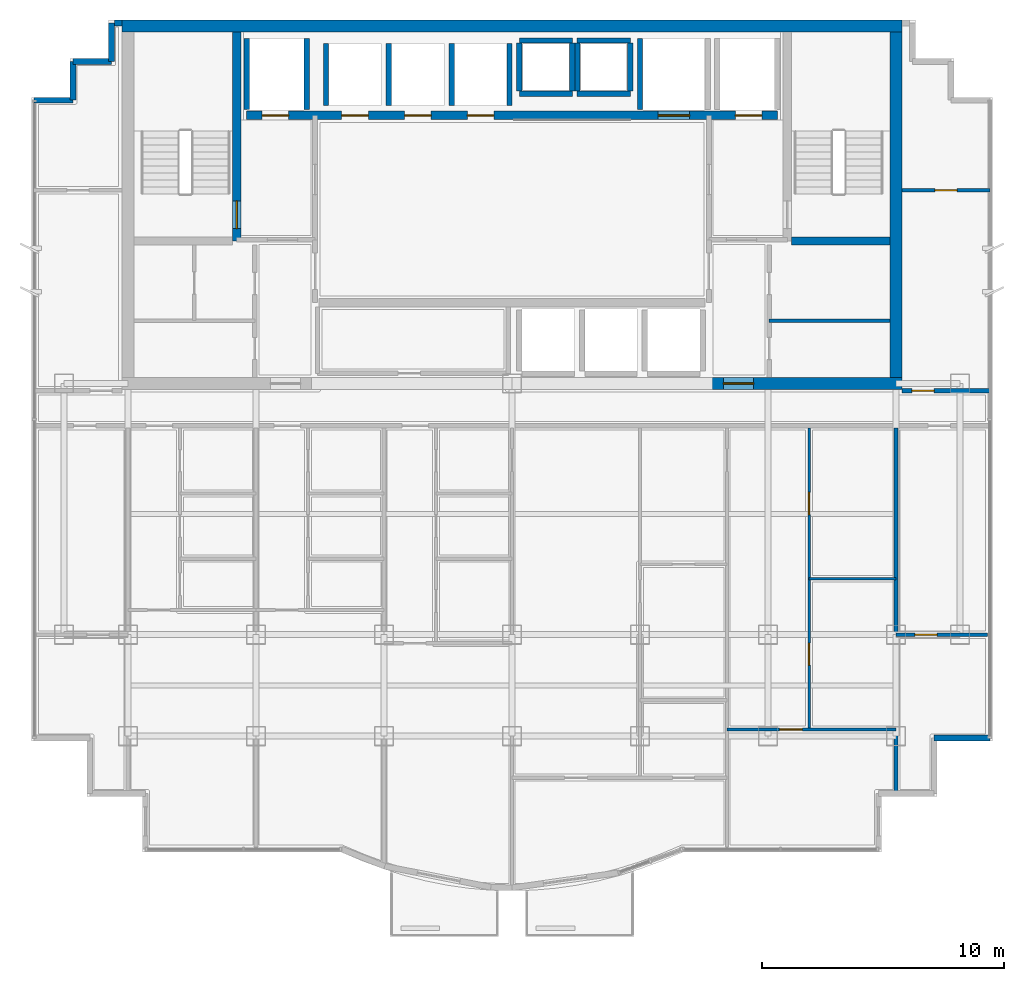
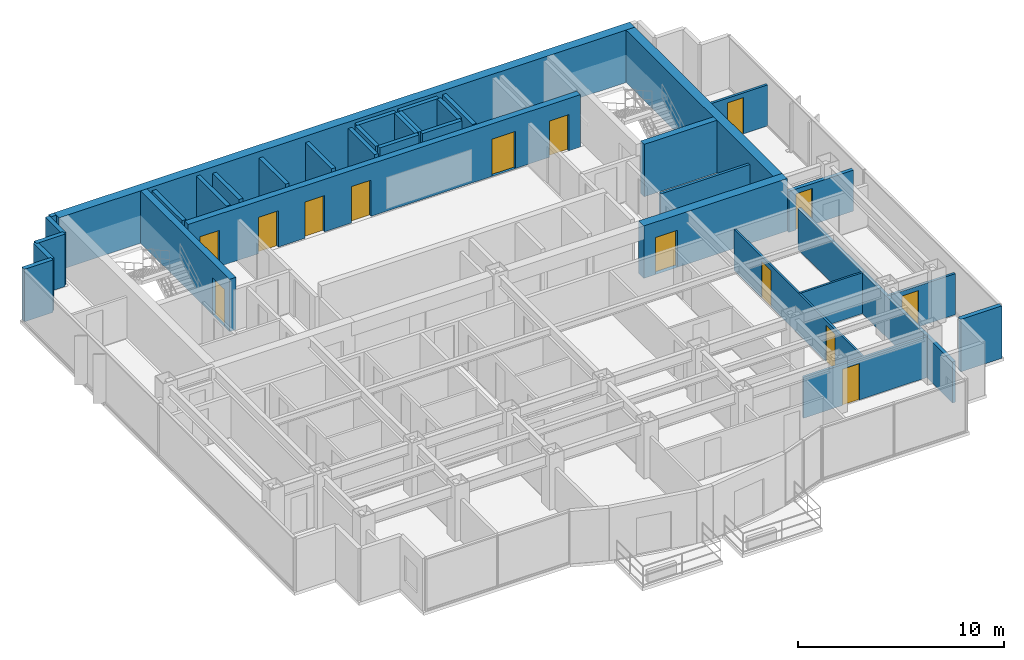
# One storey, part 9 of 12: 35 walls, 14 doors, 14 openings.
"""IFC4 building model written with IfcOpenShell, lengths in metres."""

from ifc_helpers import new_model, si_unit, direction, frame, frame_2d, origin, place, context, subcontext, project, spatial, rectangle, extrude, material, layer, layer_set, type_object, element, fill, save


model = new_model("IFC4")

# Units and contexts
model_context = context("Model", 3, precision=1e-05, world=origin(), true_north=direction((0.0, 1.0)))
body_context = subcontext(model_context, "Body", "Model", "MODEL_VIEW")
ifc_project = project(units=[si_unit("LENGTHUNIT", "METRE"), si_unit("AREAUNIT", "SQUARE_METRE"), si_unit("VOLUMEUNIT", "CUBIC_METRE"), si_unit("PLANEANGLEUNIT", "RADIAN"), si_unit("MASSUNIT", "GRAM", prefix="KILO")], contexts=[model_context])

# Site, building, storey
site_placement = place(None, origin())
site = spatial("IfcSite", under=ifc_project, at=site_placement, CompositionType="ELEMENT")
building_placement = place(site_placement, origin())
building = spatial("IfcBuilding", under=site, at=building_placement, Name="Qianlan Lanfeng Residences", CompositionType="ELEMENT")
storey_placement = place(building_placement, frame((0.0, 0.0, 196.699951171875)))
storey = spatial("IfcBuildingStorey", under=building, at=storey_placement, Name="L53", CompositionType="ELEMENT", Elevation=196.699951171875)

# Wall, opening, door
ifc_material_1 = material(Name="Concrete C49", Category="concrete")
ifc_layer_1 = layer(ifc_material_1, 0.35009765625)
ifc_layer_set_1 = layer_set([ifc_layer_1], Name="Concrete C49")
wall_type_1 = type_object("IfcWallType", Name="CW-RC-350", PredefinedType="SHEAR", material=ifc_layer_set_1)
wall_1_placement = place(storey_placement, frame((15.10009765625, 31.10009765625, 0.0), z_axis=(0.0, 0.0, 1.0), x_axis=(0.0, 1.0, 0.0)))
wall_1 = element("IfcWall", 1, at=wall_1_placement, inside=storey, type_object=wall_type_1, Name="L53 Core Shear Wall ST1E", PredefinedType="SHEAR", context=body_context, shape_type="SweptSolid", body=[
    extrude(rectangle(XDim=8.64990234375, YDim=0.35009765625, at=frame_2d((4.324951171875, 0.0))), origin(), (0.0, 0.0, 1.0), 3.110107421875),
])
opening_1_placement = place(wall_1_placement, frame((0.510009765625, 0.0, 0.0)))
opening_1 = element("IfcOpeningElement", 2, at=opening_1_placement, cuts=wall_1, Name="Opening L53-D07", PredefinedType="OPENING", context=body_context, shape_type="SweptSolid", body=[
    extrude(rectangle(XDim=1.14990234375, YDim=2.199951171875, at=frame_2d((0.574951171875, 1.10009765625))), frame((0.0, 0.18505859375, 0.0), z_axis=(0.0, -1.0, 0.0), x_axis=(1.0, 0.0, 0.0)), (0.0, 0.0, 1.0), 0.3701171875),
])
ifc_material_2 = material(Name="Painted Galvanised Steel Fire Door", Category="steel")
door_type_1 = type_object("IfcDoorType", Name="DT-ST1", OperationType="NOTDEFINED", PredefinedType="DOOR", material=ifc_material_2)
door_1_placement = place(opening_1_placement, frame((1.14990234375, 0.0, 0.0), z_axis=(0.0, 0.0, 1.0), x_axis=(-1.0, 0.0, 0.0)))
door_1 = element("IfcDoor", 3, at=door_1_placement, inside=storey, type_object=door_type_1, Name="L53 Exit Stair ST-1 Door L53-D07 (DT-ST1)", OperationType="SINGLE_SWING_RIGHT", OverallHeight=2.199951171875, OverallWidth=1.14990234375, PredefinedType="DOOR", context=body_context, shape_type="SweptSolid", body=[
    extrude(rectangle(XDim=1.14990234375, YDim=2.199951171875, at=frame_2d((0.574951171875, 1.10009765625))), frame((0.0, 0.02490234375, 0.0), z_axis=(0.0, -1.0, 0.0), x_axis=(1.0, 0.0, 0.0)), (0.0, 0.0, 1.0), 0.050048828125),
])
fill(opening_1, door_1)

# Wall
wall_2_placement = place(storey_placement, frame((38.074951171875, 31.10009765625, 0.0), z_axis=(0.0, 0.0, 1.0), x_axis=(1.0, 0.0, 0.0)))
element("IfcWall", 4, at=wall_2_placement, inside=storey, type_object=wall_type_1, Name="L53 Core Shear Wall ST2S", PredefinedType="SHEAR", context=body_context, shape_type="SweptSolid", body=[
    extrude(rectangle(XDim=4.074951171875, YDim=0.35009765625, at=frame_2d((2.03759765625, 0.0))), origin(), (0.0, 0.0, 1.0), 3.110107421875),
])

# Wall, openings, doors
wall_3_placement = place(storey_placement, frame((15.5, 36.300048828125, 0.0), z_axis=(0.0, 0.0, 1.0), x_axis=(1.0, 0.0, 0.0)))
wall_3 = element("IfcWall", 5, at=wall_3_placement, inside=storey, type_object=wall_type_1, Name="L53 Core Shear Wall LBN", PredefinedType="SHEAR", context=body_context, shape_type="SweptSolid", body=[
    extrude(rectangle(XDim=22.0, YDim=0.35009765625, at=frame_2d((11.0, 0.0))), origin(), (0.0, 0.0, 1.0), 3.110107421875),
])
opening_2_placement = place(wall_3_placement, frame((0.64990234375, 0.0, 0.0)))
opening_2 = element("IfcOpeningElement", 6, at=opening_2_placement, cuts=wall_3, Name="Opening L53-LD-FFL-1", PredefinedType="OPENING", context=body_context, shape_type="SweptSolid", body=[
    extrude(rectangle(XDim=1.10009765625, YDim=2.14990234375, at=frame_2d((0.550048828125, 1.074951171875))), frame((0.0, 0.18505859375, 0.0), z_axis=(0.0, -1.0, 0.0), x_axis=(1.0, 0.0, 0.0)), (0.0, 0.0, 1.0), 0.3701171875),
])
opening_3_placement = place(wall_3_placement, frame((20.25, 0.0, 0.0)))
opening_3 = element("IfcOpeningElement", 7, at=opening_3_placement, cuts=wall_3, Name="Opening L53-LD-FFL-2", PredefinedType="OPENING", context=body_context, shape_type="SweptSolid", body=[
    extrude(rectangle(XDim=1.10009765625, YDim=2.14990234375, at=frame_2d((0.550048828125, 1.074951171875))), frame((0.0, 0.18505859375, 0.0), z_axis=(0.0, -1.0, 0.0), x_axis=(1.0, 0.0, 0.0)), (0.0, 0.0, 1.0), 0.3701171875),
])
opening_4_placement = place(wall_3_placement, frame((17.050048828125, 0.0, 0.0)))
opening_4 = element("IfcOpeningElement", 8, at=opening_4_placement, cuts=wall_3, Name="Opening L53-LD-SVL-1", PredefinedType="OPENING", context=body_context, shape_type="SweptSolid", body=[
    extrude(rectangle(XDim=1.300048828125, YDim=2.199951171875, at=frame_2d((0.64990234375, 1.10009765625))), frame((0.0, 0.18505859375, 0.0), z_axis=(0.0, -1.0, 0.0), x_axis=(1.0, 0.0, 0.0)), (0.0, 0.0, 1.0), 0.3701171875),
])
opening_5_placement = place(wall_3_placement, frame((3.949951171875, 0.0, 0.0)))
opening_5 = element("IfcOpeningElement", 9, at=opening_5_placement, cuts=wall_3, Name="Opening L53-LD-PL-H1", PredefinedType="OPENING", context=body_context, shape_type="SweptSolid", body=[
    extrude(rectangle(XDim=1.10009765625, YDim=2.14990234375, at=frame_2d((0.550048828125, 1.074951171875))), frame((0.0, 0.18505859375, 0.0), z_axis=(0.0, -1.0, 0.0), x_axis=(1.0, 0.0, 0.0)), (0.0, 0.0, 1.0), 0.3701171875),
])
opening_6_placement = place(wall_3_placement, frame((6.550048828125, 0.0, 0.0)))
opening_6 = element("IfcOpeningElement", 10, at=opening_6_placement, cuts=wall_3, Name="Opening L53-LD-PL-H2", PredefinedType="OPENING", context=body_context, shape_type="SweptSolid", body=[
    extrude(rectangle(XDim=1.10009765625, YDim=2.14990234375, at=frame_2d((0.550048828125, 1.074951171875))), frame((0.0, 0.18505859375, 0.0), z_axis=(0.0, -1.0, 0.0), x_axis=(1.0, 0.0, 0.0)), (0.0, 0.0, 1.0), 0.3701171875),
])
opening_7_placement = place(wall_3_placement, frame((9.14990234375, 0.0, 0.0)))
opening_7 = element("IfcOpeningElement", 11, at=opening_7_placement, cuts=wall_3, Name="Opening L53-LD-PL-H3", PredefinedType="OPENING", context=body_context, shape_type="SweptSolid", body=[
    extrude(rectangle(XDim=1.10009765625, YDim=2.14990234375, at=frame_2d((0.550048828125, 1.074951171875))), frame((0.0, 0.18505859375, 0.0), z_axis=(0.0, -1.0, 0.0), x_axis=(1.0, 0.0, 0.0)), (0.0, 0.0, 1.0), 0.3701171875),
])
ifc_material_3 = material(Name="Brushed Stainless Steel Sliding Lift Door", Category="steel")
door_type_2 = type_object("IfcDoorType", Name="LD-01", OperationType="NOTDEFINED", PredefinedType="DOOR", material=ifc_material_3)
door_2_placement = place(opening_2_placement, frame((1.10009765625, 0.0, 0.0), z_axis=(0.0, 0.0, 1.0), x_axis=(-1.0, 0.0, 0.0)))
door_2 = element("IfcDoor", 12, at=door_2_placement, inside=storey, type_object=door_type_2, Name="L53 Elevator FFL-1 Sliding Landing Door", OperationType="DOUBLE_DOOR_SLIDING", OverallHeight=2.14990234375, OverallWidth=1.10009765625, PredefinedType="DOOR", context=body_context, shape_type="SweptSolid", body=[
    extrude(rectangle(XDim=1.10009765625, YDim=2.14990234375, at=frame_2d((0.550048828125, 1.074951171875))), frame((0.0, 0.02490234375, 0.0), z_axis=(0.0, -1.0, 0.0), x_axis=(1.0, 0.0, 0.0)), (0.0, 0.0, 1.0), 0.050048828125),
])
fill(opening_2, door_2)
door_3_placement = place(opening_3_placement, frame((1.10009765625, 0.0, 0.0), z_axis=(0.0, 0.0, 1.0), x_axis=(-1.0, 0.0, 0.0)))
door_3 = element("IfcDoor", 13, at=door_3_placement, inside=storey, type_object=door_type_2, Name="L53 Elevator FFL-2 Sliding Landing Door", OperationType="DOUBLE_DOOR_SLIDING", OverallHeight=2.14990234375, OverallWidth=1.10009765625, PredefinedType="DOOR", context=body_context, shape_type="SweptSolid", body=[
    extrude(rectangle(XDim=1.10009765625, YDim=2.14990234375, at=frame_2d((0.550048828125, 1.074951171875))), frame((0.0, 0.02490234375, 0.0), z_axis=(0.0, -1.0, 0.0), x_axis=(1.0, 0.0, 0.0)), (0.0, 0.0, 1.0), 0.050048828125),
])
fill(opening_3, door_3)
door_4_placement = place(opening_5_placement, frame((1.10009765625, 0.0, 0.0), z_axis=(0.0, 0.0, 1.0), x_axis=(-1.0, 0.0, 0.0)))
door_4 = element("IfcDoor", 14, at=door_4_placement, inside=storey, type_object=door_type_2, Name="L53 Elevator PL-H1 Sliding Landing Door", OperationType="DOUBLE_DOOR_SLIDING", OverallHeight=2.14990234375, OverallWidth=1.10009765625, PredefinedType="DOOR", context=body_context, shape_type="SweptSolid", body=[
    extrude(rectangle(XDim=1.10009765625, YDim=2.14990234375, at=frame_2d((0.550048828125, 1.074951171875))), frame((0.0, 0.02490234375, 0.0), z_axis=(0.0, -1.0, 0.0), x_axis=(1.0, 0.0, 0.0)), (0.0, 0.0, 1.0), 0.050048828125),
])
fill(opening_5, door_4)
door_5_placement = place(opening_6_placement, frame((1.10009765625, 0.0, 0.0), z_axis=(0.0, 0.0, 1.0), x_axis=(-1.0, 0.0, 0.0)))
door_5 = element("IfcDoor", 15, at=door_5_placement, inside=storey, type_object=door_type_2, Name="L53 Elevator PL-H2 Sliding Landing Door", OperationType="DOUBLE_DOOR_SLIDING", OverallHeight=2.14990234375, OverallWidth=1.10009765625, PredefinedType="DOOR", context=body_context, shape_type="SweptSolid", body=[
    extrude(rectangle(XDim=1.10009765625, YDim=2.14990234375, at=frame_2d((0.550048828125, 1.074951171875))), frame((0.0, 0.02490234375, 0.0), z_axis=(0.0, -1.0, 0.0), x_axis=(1.0, 0.0, 0.0)), (0.0, 0.0, 1.0), 0.050048828125),
])
fill(opening_6, door_5)
door_6_placement = place(opening_7_placement, frame((1.10009765625, 0.0, 0.0), z_axis=(0.0, 0.0, 1.0), x_axis=(-1.0, 0.0, 0.0)))
door_6 = element("IfcDoor", 16, at=door_6_placement, inside=storey, type_object=door_type_2, Name="L53 Elevator PL-H3 Sliding Landing Door", OperationType="DOUBLE_DOOR_SLIDING", OverallHeight=2.14990234375, OverallWidth=1.10009765625, PredefinedType="DOOR", context=body_context, shape_type="SweptSolid", body=[
    extrude(rectangle(XDim=1.10009765625, YDim=2.14990234375, at=frame_2d((0.550048828125, 1.074951171875))), frame((0.0, 0.02490234375, 0.0), z_axis=(0.0, -1.0, 0.0), x_axis=(1.0, 0.0, 0.0)), (0.0, 0.0, 1.0), 0.050048828125),
])
fill(opening_7, door_6)
door_type_3 = type_object("IfcDoorType", Name="LD-02", OperationType="NOTDEFINED", PredefinedType="DOOR", material=ifc_material_3)
door_7_placement = place(opening_4_placement, frame((1.300048828125, 0.0, 0.0), z_axis=(0.0, 0.0, 1.0), x_axis=(-1.0, 0.0, 0.0)))
door_7 = element("IfcDoor", 17, at=door_7_placement, inside=storey, type_object=door_type_3, Name="L53 Elevator SVL-1 Sliding Landing Door", OperationType="DOUBLE_DOOR_SLIDING", OverallHeight=2.199951171875, OverallWidth=1.300048828125, PredefinedType="DOOR", context=body_context, shape_type="SweptSolid", body=[
    extrude(rectangle(XDim=1.300048828125, YDim=2.199951171875, at=frame_2d((0.64990234375, 1.10009765625))), frame((0.0, 0.02490234375, 0.0), z_axis=(0.0, -1.0, 0.0), x_axis=(1.0, 0.0, 0.0)), (0.0, 0.0, 1.0), 0.050048828125),
])
fill(opening_4, door_7)

# Walls
ifc_material_4 = material(Name="Concrete C70", Category="concrete")
ifc_layer_2 = layer(ifc_material_4, 0.5)
ifc_layer_set_2 = layer_set([ifc_layer_2], Name="Concrete C70")
wall_type_2 = type_object("IfcWallType", Name="CW-RC-500", PredefinedType="SHEAR", material=ifc_layer_set_2)
wall_4_placement = place(storey_placement, frame((10.35009765625, 40.0, 0.0), z_axis=(0.0, 0.0, 1.0), x_axis=(1.0, 0.0, 0.0)))
element("IfcWall", 18, at=wall_4_placement, inside=storey, type_object=wall_type_2, Name="L53 Core Shear Wall N", PredefinedType="SHEAR", context=body_context, shape_type="SweptSolid", body=[
    extrude(rectangle(XDim=32.2998046875, YDim=0.5, at=frame_2d((16.14990234375, 0.0))), origin(), (0.0, 0.0, 1.0), 3.110107421875),
])
wall_5_placement = place(storey_placement, frame((42.39990234375, 25.449951171875, 0.0), z_axis=(0.0, 0.0, 1.0), x_axis=(0.0, 1.0, 0.0)))
element("IfcWall", 19, at=wall_5_placement, inside=storey, type_object=wall_type_2, Name="L53 Core Shear Wall E", PredefinedType="SHEAR", context=body_context, shape_type="SweptSolid", body=[
    extrude(rectangle(XDim=14.300048828125, YDim=0.5, at=frame_2d((7.14990234375, 0.0))), origin(), (0.0, 0.0, 1.0), 3.110107421875),
])

# Wall, opening, door
wall_6_placement = place(storey_placement, frame((34.60009765625, 25.199951171875, 0.0), z_axis=(0.0, 0.0, 1.0), x_axis=(1.0, 0.0, 0.0)))
wall_6 = element("IfcWall", 20, at=wall_6_placement, inside=storey, type_object=wall_type_2, Name="L53 Core Shear Wall SE", PredefinedType="SHEAR", context=body_context, shape_type="SweptSolid", body=[
    extrude(rectangle(XDim=8.0498046875, YDim=0.5, at=frame_2d((4.02490234375, 0.0))), origin(), (0.0, 0.0, 1.0), 3.110107421875),
])
opening_8_placement = place(wall_6_placement, frame((0.64990234375, 0.0, 0.0)))
opening_8 = element("IfcOpeningElement", 21, at=opening_8_placement, cuts=wall_6, Name="Opening L53-D02", PredefinedType="OPENING", context=body_context, shape_type="SweptSolid", body=[
    extrude(rectangle(XDim=1.25, YDim=2.199951171875, at=frame_2d((0.625, 1.10009765625))), frame((0.0, 0.260009765625, 0.0), z_axis=(0.0, -1.0, 0.0), x_axis=(1.0, 0.0, 0.0)), (0.0, 0.0, 1.0), 0.52001953125),
])
door_type_4 = type_object("IfcDoorType", Name="DT-FFL", OperationType="NOTDEFINED", PredefinedType="DOOR", material=ifc_material_2)
door_8_placement = place(opening_8_placement, frame((1.25, 0.0, 0.0), z_axis=(0.0, 0.0, 1.0), x_axis=(-1.0, 0.0, 0.0)))
door_8 = element("IfcDoor", 22, at=door_8_placement, inside=storey, type_object=door_type_4, Name="L53 East Core Lobby Smoke Door L53-D02 (DT-FFL)", OperationType="SINGLE_SWING_LEFT", OverallHeight=2.199951171875, OverallWidth=1.25, PredefinedType="DOOR", context=body_context, shape_type="SweptSolid", body=[
    extrude(rectangle(XDim=1.25, YDim=2.199951171875, at=frame_2d((0.625, 1.10009765625))), frame((0.0, 0.02490234375, 0.0), z_axis=(0.0, -1.0, 0.0), x_axis=(1.0, 0.0, 0.0)), (0.0, 0.0, 1.0), 0.050048828125),
])
fill(opening_8, door_8)

# Walls
ifc_material_5 = material(Name="Concrete C42", Category="concrete")
ifc_layer_3 = layer(ifc_material_5, 0.239990234375)
ifc_layer_set_3 = layer_set([ifc_layer_3], Name="Concrete C42")
wall_type_3 = type_object("IfcWallType", Name="EW-240", PredefinedType="SOLIDWALL", material=ifc_layer_set_3)
wall_7_placement = place(storey_placement, frame((43.97998046875, 10.52001953125, 0.0), z_axis=(0.0, 0.0, 1.0), x_axis=(1.0, 0.0, 0.0)))
element("IfcWall", 23, at=wall_7_placement, inside=storey, type_object=wall_type_3, Name="L53 Exterior Facade Spandrel Wall 12", PredefinedType="SOLIDWALL", context=body_context, shape_type="SweptSolid", body=[
    extrude(rectangle(XDim=2.300048828125, YDim=0.239990234375, at=frame_2d((1.14990234375, 0.0))), origin(), (0.0, 0.0, 1.0), 3.110107421875),
])
wall_8_placement = place(storey_placement, frame((10.35009765625, 40.1298828125, 0.0), z_axis=(0.0, 0.0, 1.0), x_axis=(-1.0, 0.0, 0.0)))
element("IfcWall", 24, at=wall_8_placement, inside=storey, type_object=wall_type_3, Name="L53 North Wing Exterior Wall W", PredefinedType="SOLIDWALL", context=body_context, shape_type="SweptSolid", body=[
    extrude(rectangle(XDim=0.300048828125, YDim=0.239990234375, at=frame_2d((0.14990234375, 0.0))), origin(), (0.0, 0.0, 1.0), 3.110107421875),
])
for number, where, z_axis, x_axis, name in (
    (25, (9.919921875, 40.1298828125, 0.0), (0.0, 0.0, 1.0), (0.0, -1.0, 0.0), "L53 Exterior Facade Spandrel Wall 19"),
    (26, (9.919921875, 38.530029296875, 0.0), (0.0, 0.0, 1.0), (-1.0, 0.0, 0.0), "L53 Exterior Facade Spandrel Wall 20"),
):
    element("IfcWall", number, at=place(storey_placement, frame(where, z_axis=z_axis, x_axis=x_axis)), inside=storey, type_object=wall_type_3, Name=name, PredefinedType="SOLIDWALL", context=body_context, shape_type="SweptSolid", body=[
        extrude(rectangle(XDim=1.599853515625, YDim=0.239990234375, at=frame_2d((0.7998046875, 0.0))), origin(), (0.0, 0.0, 1.0), 3.110107421875),
    ])
for number, where, z_axis, x_axis, name in (
    (27, (8.320068359375, 38.530029296875, 0.0), (0.0, 0.0, 1.0), (0.0, -1.0, 0.0), "L53 Exterior Facade Spandrel Wall 21"),
    (28, (8.320068359375, 36.929931640625, 0.0), (0.0, 0.0, 1.0), (-1.0, 0.0, 0.0), "L53 Exterior Facade Spandrel Wall 22"),
):
    element("IfcWall", number, at=place(storey_placement, frame(where, z_axis=z_axis, x_axis=x_axis)), inside=storey, type_object=wall_type_3, Name=name, PredefinedType="SOLIDWALL", context=body_context, shape_type="SweptSolid", body=[
        extrude(rectangle(XDim=1.60009765625, YDim=0.239990234375, at=frame_2d((0.800048828125, 0.0))), origin(), (0.0, 0.0, 1.0), 3.110107421875),
    ])

# Wall, openings, doors
ifc_material_6 = material(Name="Demountable Acoustic Framing Partition 110 mm")
ifc_layer_4 = layer(ifc_material_6, 0.110107421875)
ifc_layer_set_4 = layer_set([ifc_layer_4], Name="Demountable Acoustic Framing Partition 110 mm")
wall_type_4 = type_object("IfcWallType", Name="PW-110", PredefinedType="MOVABLE", material=ifc_layer_set_4)
wall_9_placement = place(storey_placement, frame((38.800048828125, 10.876953125, 0.0), z_axis=(0.0, 0.0, 1.0), x_axis=(0.0, 1.0, 0.0)))
wall_9 = element("IfcWall", 29, at=wall_9_placement, inside=storey, type_object=wall_type_4, Name="L53 U03 Bedroom 2 Hall Wall", PredefinedType="MOVABLE", context=body_context, shape_type="SweptSolid", body=[
    extrude(rectangle(XDim=12.47314453125, YDim=0.110107421875, at=frame_2d((6.236572265625, 0.0))), origin(), (0.0, 0.0, 1.0), 2.429931640625),
])
opening_9_placement = place(wall_9_placement, frame((2.658935546875, 0.0, 0.0)))
opening_9 = element("IfcOpeningElement", 30, at=opening_9_placement, cuts=wall_9, Name="Opening L53-D39", PredefinedType="OPENING", context=body_context, shape_type="SweptSolid", body=[
    extrude(rectangle(XDim=0.919921875, YDim=2.14990234375, at=frame_2d((0.4599609375, 1.074951171875))), frame((0.0, 0.06494140625, 0.0), z_axis=(0.0, -1.0, 0.0), x_axis=(1.0, 0.0, 0.0)), (0.0, 0.0, 1.0), 0.130126953125),
])
opening_10_placement = place(wall_9_placement, frame((8.89501953125, 0.0, 0.0)))
opening_10 = element("IfcOpeningElement", 31, at=opening_10_placement, cuts=wall_9, Name="Opening L53-D40", PredefinedType="OPENING", context=body_context, shape_type="SweptSolid", body=[
    extrude(rectangle(XDim=0.919921875, YDim=2.14990234375, at=frame_2d((0.4599609375, 1.074951171875))), frame((0.0, 0.06494140625, 0.0), z_axis=(0.0, -1.0, 0.0), x_axis=(1.0, 0.0, 0.0)), (0.0, 0.0, 1.0), 0.130126953125),
])
ifc_material_7 = material(Name="Glazed Timber Kitchen/Study Door", Category="wood")
door_type_5 = type_object("IfcDoorType", Name="DT-INT", OperationType="NOTDEFINED", PredefinedType="DOOR", material=ifc_material_7)
door_9_placement = place(opening_9_placement, origin())
door_9 = element("IfcDoor", 32, at=door_9_placement, inside=storey, type_object=door_type_5, Name="L53 U03 Utility Door L53-D39 (DT-INT)", OperationType="SINGLE_SWING_LEFT", OverallHeight=2.14990234375, OverallWidth=0.919921875, PredefinedType="DOOR", context=body_context, shape_type="SweptSolid", body=[
    extrude(rectangle(XDim=0.919921875, YDim=2.14990234375, at=frame_2d((0.4599609375, 1.074951171875))), frame((0.0, 0.02490234375, 0.0), z_axis=(0.0, -1.0, 0.0), x_axis=(1.0, 0.0, 0.0)), (0.0, 0.0, 1.0), 0.050048828125),
])
fill(opening_9, door_9)
door_10_placement = place(opening_10_placement, origin())
door_10 = element("IfcDoor", 33, at=door_10_placement, inside=storey, type_object=door_type_5, Name="L53 U03 Specialty Door L53-D40 (DT-INT)", OperationType="SINGLE_SWING_RIGHT", OverallHeight=2.14990234375, OverallWidth=0.919921875, PredefinedType="DOOR", context=body_context, shape_type="SweptSolid", body=[
    extrude(rectangle(XDim=0.919921875, YDim=2.14990234375, at=frame_2d((0.4599609375, 1.074951171875))), frame((0.0, 0.02490234375, 0.0), z_axis=(0.0, -1.0, 0.0), x_axis=(1.0, 0.0, 0.0)), (0.0, 0.0, 1.0), 0.050048828125),
])
fill(opening_10, door_10)

# Wall
wall_10_placement = place(storey_placement, frame((38.800048828125, 17.114013671875, 0.0), z_axis=(0.0, 0.0, 1.0), x_axis=(1.0, 0.0, 0.0)))
element("IfcWall", 34, at=wall_10_placement, inside=storey, type_object=wall_type_4, Name="L53 U03 Specialty Split Wall", PredefinedType="MOVABLE", context=body_context, shape_type="SweptSolid", body=[
    extrude(rectangle(XDim=3.599853515625, YDim=0.110107421875, at=frame_2d((1.7998046875, 0.0))), origin(), (0.0, 0.0, 1.0), 2.429931640625),
])

# Wall, opening, door
ifc_material_8 = material(Name="Moisture-Resistant Gypsum Partition 135 mm")
ifc_layer_5 = layer(ifc_material_8, 0.135009765625)
ifc_layer_set_5 = layer_set([ifc_layer_5], Name="Moisture-Resistant Gypsum Partition 135 mm")
wall_type_5 = type_object("IfcWallType", Name="PW-135", PredefinedType="PARTITIONING", material=ifc_layer_set_5)
wall_11_placement = place(storey_placement, frame((35.39990234375, 10.876953125, 0.0), z_axis=(0.0, 0.0, 1.0), x_axis=(1.0, 0.0, 0.0)))
wall_11 = element("IfcWall", 35, at=wall_11_placement, inside=storey, type_object=wall_type_5, Name="L53 U03 Bedroom 2 North Wall", PredefinedType="PARTITIONING", context=body_context, shape_type="SweptSolid", body=[
    extrude(rectangle(XDim=7.0, YDim=0.135009765625, at=frame_2d((3.5, 0.0))), origin(), (0.0, 0.0, 1.0), 2.429931640625),
])
opening_11_placement = place(wall_11_placement, frame((2.175048828125, 0.0, 0.0)))
opening_11 = element("IfcOpeningElement", 36, at=opening_11_placement, cuts=wall_11, Name="Opening L53-D38", PredefinedType="OPENING", context=body_context, shape_type="SweptSolid", body=[
    extrude(rectangle(XDim=0.949951171875, YDim=2.14990234375, at=frame_2d((0.47509765625, 1.074951171875))), frame((0.0, 0.07763671875, 0.0), z_axis=(0.0, -1.0, 0.0), x_axis=(1.0, 0.0, 0.0)), (0.0, 0.0, 1.0), 0.155029296875),
])
ifc_material_9 = material(Name="Painted Solid-Core Timber Leaf", Category="wood")
door_type_6 = type_object("IfcDoorType", Name="DT-BED", OperationType="NOTDEFINED", PredefinedType="DOOR", material=ifc_material_9)
door_11_placement = place(opening_11_placement, origin())
door_11 = element("IfcDoor", 37, at=door_11_placement, inside=storey, type_object=door_type_6, Name="L53 U03 Bedroom 2 Door L53-D38 (DT-BED)", OperationType="SINGLE_SWING_RIGHT", OverallHeight=2.14990234375, OverallWidth=0.949951171875, PredefinedType="DOOR", context=body_context, shape_type="SweptSolid", body=[
    extrude(rectangle(XDim=0.949951171875, YDim=2.14990234375, at=frame_2d((0.47509765625, 1.074951171875))), frame((0.0, 0.02490234375, 0.0), z_axis=(0.0, -1.0, 0.0), x_axis=(1.0, 0.0, 0.0)), (0.0, 0.0, 1.0), 0.050048828125),
])
fill(opening_11, door_11)

wall_12_placement = place(storey_placement, frame((42.39990234375, 14.800048828125, 0.0), z_axis=(0.0, 0.0, 1.0), x_axis=(1.0, 0.0, 0.0)))
wall_12 = element("IfcWall", 38, at=wall_12_placement, inside=storey, type_object=wall_type_5, Name="L53 SEP Mid Partition", PredefinedType="PARTITIONING", context=body_context, shape_type="SweptSolid", body=[
    extrude(rectangle(XDim=3.780029296875, YDim=0.135009765625, at=frame_2d((1.89013671875, 0.0))), origin(), (0.0, 0.0, 1.0), 2.429931640625),
])
opening_12_placement = place(wall_12_placement, frame((0.780029296875, 0.0, 0.0)))
opening_12 = element("IfcOpeningElement", 39, at=opening_12_placement, cuts=wall_12, Name="Opening L53-D43", PredefinedType="OPENING", context=body_context, shape_type="SweptSolid", body=[
    extrude(rectangle(XDim=0.919921875, YDim=2.14990234375, at=frame_2d((0.4599609375, 1.074951171875))), frame((0.0, 0.07763671875, 0.0), z_axis=(0.0, -1.0, 0.0), x_axis=(1.0, 0.0, 0.0)), (0.0, 0.0, 1.0), 0.155029296875),
])
door_12_placement = place(opening_12_placement, origin())
door_12 = element("IfcDoor", 40, at=door_12_placement, inside=storey, type_object=door_type_5, Name="L53 SEP Inner Door L53-D43 (DT-INT)", OperationType="SINGLE_SWING_RIGHT", OverallHeight=2.14990234375, OverallWidth=0.919921875, PredefinedType="DOOR", context=body_context, shape_type="SweptSolid", body=[
    extrude(rectangle(XDim=0.919921875, YDim=2.14990234375, at=frame_2d((0.4599609375, 1.074951171875))), frame((0.0, 0.02490234375, 0.0), z_axis=(0.0, -1.0, 0.0), x_axis=(1.0, 0.0, 0.0)), (0.0, 0.0, 1.0), 0.050048828125),
])
fill(opening_12, door_12)

wall_13_placement = place(storey_placement, frame((42.64990234375, 33.199951171875, 0.0), z_axis=(0.0, 0.0, 1.0), x_axis=(1.0, 0.0, 0.0)))
wall_13 = element("IfcWall", 41, at=wall_13_placement, inside=storey, type_object=wall_type_5, Name="L53 EW North Wing Wall", PredefinedType="PARTITIONING", context=body_context, shape_type="SweptSolid", body=[
    extrude(rectangle(XDim=3.630126953125, YDim=0.135009765625, at=frame_2d((1.81494140625, 0.0))), origin(), (0.0, 0.0, 1.0), 2.429931640625),
])
opening_13_placement = place(wall_13_placement, frame((1.35498046875, 0.0, 0.0)))
opening_13 = element("IfcOpeningElement", 42, at=opening_13_placement, cuts=wall_13, Name="Opening L53-D47", PredefinedType="OPENING", context=body_context, shape_type="SweptSolid", body=[
    extrude(rectangle(XDim=0.919921875, YDim=2.14990234375, at=frame_2d((0.4599609375, 1.074951171875))), frame((0.0, 0.07763671875, 0.0), z_axis=(0.0, -1.0, 0.0), x_axis=(1.0, 0.0, 0.0)), (0.0, 0.0, 1.0), 0.155029296875),
])
door_13_placement = place(opening_13_placement, origin())
door_13 = element("IfcDoor", 43, at=door_13_placement, inside=storey, type_object=door_type_5, Name="L53 EW Inner Salon Door L53-D47 (DT-INT)", OperationType="SINGLE_SWING_LEFT", OverallHeight=2.14990234375, OverallWidth=0.919921875, PredefinedType="DOOR", context=body_context, shape_type="SweptSolid", body=[
    extrude(rectangle(XDim=0.919921875, YDim=2.14990234375, at=frame_2d((0.4599609375, 1.074951171875))), frame((0.0, 0.02490234375, 0.0), z_axis=(0.0, -1.0, 0.0), x_axis=(1.0, 0.0, 0.0)), (0.0, 0.0, 1.0), 0.050048828125),
])
fill(opening_13, door_13)

# Walls
ifc_material_10 = material(Name="Acoustic Drywall Partition 150 mm")
ifc_layer_6 = layer(ifc_material_10, 0.14990234375)
ifc_layer_set_6 = layer_set([ifc_layer_6], Name="Acoustic Drywall Partition 150 mm")
wall_type_6 = type_object("IfcWallType", Name="PW-150", PredefinedType="PARTITIONING", material=ifc_layer_set_6)
wall_14_placement = place(storey_placement, frame((37.14990234375, 27.800048828125, 0.0), z_axis=(0.0, 0.0, 1.0), x_axis=(1.0, 0.0, 0.0)))
element("IfcWall", 44, at=wall_14_placement, inside=storey, type_object=wall_type_6, Name="L53 Core East H4", PredefinedType="PARTITIONING", context=body_context, shape_type="SweptSolid", body=[
    extrude(rectangle(XDim=5.0, YDim=0.14990234375, at=frame_2d((2.5, 0.0))), origin(), (0.0, 0.0, 1.0), 2.429931640625),
])
ifc_material_11 = material(Name="Double-Layer Acoustic Gypsum Stud Wall 180 mm")
ifc_layer_7 = layer(ifc_material_11, 0.179931640625)
ifc_layer_set_7 = layer_set([ifc_layer_7], Name="Double-Layer Acoustic Gypsum Stud Wall 180 mm")
wall_type_7 = type_object("IfcWallType", Name="PW-180", PredefinedType="PARTITIONING", material=ifc_layer_set_7)
wall_15_placement = place(storey_placement, frame((42.39990234375, 8.320068359375, 0.0), z_axis=(0.0, 0.0, 1.0), x_axis=(0.0, 1.0, 0.0)))
element("IfcWall", 45, at=wall_15_placement, inside=storey, type_object=wall_type_7, Name="L53 Wing Boundary Party Wall E0", PredefinedType="PARTITIONING", context=body_context, shape_type="SweptSolid", body=[
    extrude(rectangle(XDim=15.030029296875, YDim=0.179931640625, at=frame_2d((7.51513671875, 0.0))), origin(), (0.0, 0.0, 1.0), 2.429931640625),
])

# Wall, opening, door
ifc_material_12 = material(Name="Autoclaved Aerated Concrete Blockwork 200 mm", Category="masonry")
ifc_layer_8 = layer(ifc_material_12, 0.199951171875)
ifc_layer_set_8 = layer_set([ifc_layer_8], Name="Autoclaved Aerated Concrete Blockwork 200 mm")
wall_type_8 = type_object("IfcWallType", Name="PW-200", PredefinedType="PARTITIONING", material=ifc_layer_set_8)
wall_16_placement = place(storey_placement, frame((42.64990234375, 24.89990234375, 0.0), z_axis=(0.0, 0.0, 1.0), x_axis=(1.0, 0.0, 0.0)))
wall_16 = element("IfcWall", 46, at=wall_16_placement, inside=storey, type_object=wall_type_8, Name="L53 Corridor NE Wall", PredefinedType="PARTITIONING", context=body_context, shape_type="SweptSolid", body=[
    extrude(rectangle(XDim=3.630126953125, YDim=0.199951171875, at=frame_2d((1.81494140625, 0.0))), origin(), (0.0, 0.0, 1.0), 2.429931640625),
])
opening_14_placement = place(wall_16_placement, frame((0.405029296875, 0.0, 0.0)))
opening_14 = element("IfcOpeningElement", 47, at=opening_14_placement, cuts=wall_16, Name="Opening L53-D48", PredefinedType="OPENING", context=body_context, shape_type="SweptSolid", body=[
    extrude(rectangle(XDim=0.919921875, YDim=2.14990234375, at=frame_2d((0.4599609375, 1.074951171875))), frame((0.0, 0.10986328125, 0.0), z_axis=(0.0, -1.0, 0.0), x_axis=(1.0, 0.0, 0.0)), (0.0, 0.0, 1.0), 0.219970703125),
])
door_14_placement = place(opening_14_placement, frame((0.919921875, 0.0, 0.0), z_axis=(0.0, 0.0, 1.0), x_axis=(-1.0, 0.0, 0.0)))
door_14 = element("IfcDoor", 48, at=door_14_placement, inside=storey, type_object=door_type_5, Name="L53 EW Amenity Salon Door L53-D48 (DT-INT)", OperationType="SINGLE_SWING_RIGHT", OverallHeight=2.14990234375, OverallWidth=0.919921875, PredefinedType="DOOR", context=body_context, shape_type="SweptSolid", body=[
    extrude(rectangle(XDim=0.919921875, YDim=2.14990234375, at=frame_2d((0.4599609375, 1.074951171875))), frame((0.0, 0.02490234375, 0.0), z_axis=(0.0, -1.0, 0.0), x_axis=(1.0, 0.0, 0.0)), (0.0, 0.0, 1.0), 0.050048828125),
])
fill(opening_14, door_14)

# Walls
ifc_layer_9 = layer(ifc_material_1, 0.219970703125)
ifc_layer_set_9 = layer_set([ifc_layer_9], Name="Concrete C49")
wall_type_9 = type_object("IfcWallType", Name="SHW-220", PredefinedType="SOLIDWALL", material=ifc_layer_set_9)
for number, where, z_axis, x_axis, name in (
    (49, (15.52001953125, 36.550048828125, 0.0), (0.0, 0.0, 1.0), (0.0, 1.0, 0.0), "L53 Lift FFL-1 Shaft Wall W"),
    (50, (18.0, 36.550048828125, 0.0), (0.0, 0.0, 1.0), (0.0, 1.0, 0.0), "L53 Lift FFL-1 Shaft Wall E"),
    (51, (31.800048828125, 36.550048828125, 0.0), (0.0, 0.0, 1.0), (0.0, 1.0, 0.0), "L53 Lift SVL-1 Shaft Wall W"),
):
    element("IfcWall", number, at=place(storey_placement, frame(where, z_axis=z_axis, x_axis=x_axis)), inside=storey, type_object=wall_type_9, Name=name, PredefinedType="SOLIDWALL", context=body_context, shape_type="SweptSolid", body=[
        extrude(rectangle(XDim=2.929931640625, YDim=0.219970703125, at=frame_2d((1.46484375, 0.0))), origin(), (0.0, 0.0, 1.0), 3.110107421875),
    ])
for number, where, z_axis, x_axis, name in (
    (52, (18.800048828125, 36.719970703125, 0.0), (0.0, 0.0, 1.0), (0.0, 1.0, 0.0), "L53 Lift PL-H1 Shaft Wall W"),
    (53, (21.39990234375, 36.719970703125, 0.0), (0.0, 0.0, 1.0), (0.0, 1.0, 0.0), "L53 Lift PL-H2 Shaft Wall W"),
    (54, (24.0, 36.719970703125, 0.0), (0.0, 0.0, 1.0), (0.0, 1.0, 0.0), "L53 Lift PL-H3 Shaft Wall W"),
    (55, (26.39990234375, 36.719970703125, 0.0), (0.0, 0.0, 1.0), (0.0, 1.0, 0.0), "L53 Lift PL-H3 Shaft Wall E"),
):
    element("IfcWall", number, at=place(storey_placement, frame(where, z_axis=z_axis, x_axis=x_axis)), inside=storey, type_object=wall_type_9, Name=name, PredefinedType="SOLIDWALL", context=body_context, shape_type="SweptSolid", body=[
        extrude(rectangle(XDim=2.56005859375, YDim=0.219970703125, at=frame_2d((1.280029296875, 0.0))), origin(), (0.0, 0.0, 1.0), 3.110107421875),
    ])
for number, where, z_axis, x_axis, name in (
    (56, (26.800048828125, 37.31005859375, 0.0), (0.0, 0.0, 1.0), (0.0, 1.0, 0.0), "L53 MEP Riser MEP-R1 Shaft Wall W"),
    (57, (29.0, 37.31005859375, 0.0), (0.0, 0.0, 1.0), (0.0, 1.0, 0.0), "L53 MEP Riser MEP-R1 Shaft Wall E"),
):
    element("IfcWall", number, at=place(storey_placement, frame(where, z_axis=z_axis, x_axis=x_axis)), inside=storey, type_object=wall_type_9, Name=name, PredefinedType="SOLIDWALL", context=body_context, shape_type="SweptSolid", body=[
        extrude(rectangle(XDim=1.97998046875, YDim=0.219970703125, at=frame_2d((0.989990234375, 0.0))), origin(), (0.0, 0.0, 1.0), 3.110107421875),
    ])
for number, where, z_axis, x_axis, name in (
    (58, (26.800048828125, 39.39990234375, 0.0), (0.0, 0.0, 1.0), (1.0, 0.0, 0.0), "L53 MEP Riser MEP-R1 Shaft Wall N"),
    (59, (26.800048828125, 37.199951171875, 0.0), (0.0, 0.0, 1.0), (1.0, 0.0, 0.0), "L53 MEP Riser MEP-R1 Shaft Wall S"),
):
    element("IfcWall", number, at=place(storey_placement, frame(where, z_axis=z_axis, x_axis=x_axis)), inside=storey, type_object=wall_type_9, Name=name, PredefinedType="SOLIDWALL", context=body_context, shape_type="SweptSolid", body=[
        extrude(rectangle(XDim=2.199951171875, YDim=0.219970703125, at=frame_2d((1.10009765625, 0.0))), origin(), (0.0, 0.0, 1.0), 3.110107421875),
    ])
for number, where, z_axis, x_axis, name in (
    (60, (29.199951171875, 37.31005859375, 0.0), (0.0, 0.0, 1.0), (0.0, 1.0, 0.0), "L53 MEP Riser MEP-R2 Shaft Wall W"),
    (61, (31.39990234375, 37.31005859375, 0.0), (0.0, 0.0, 1.0), (0.0, 1.0, 0.0), "L53 MEP Riser MEP-R2 Shaft Wall E"),
):
    element("IfcWall", number, at=place(storey_placement, frame(where, z_axis=z_axis, x_axis=x_axis)), inside=storey, type_object=wall_type_9, Name=name, PredefinedType="SOLIDWALL", context=body_context, shape_type="SweptSolid", body=[
        extrude(rectangle(XDim=1.97998046875, YDim=0.219970703125, at=frame_2d((0.989990234375, 0.0))), origin(), (0.0, 0.0, 1.0), 3.110107421875),
    ])
for number, where, z_axis, x_axis, name in (
    (62, (29.199951171875, 39.39990234375, 0.0), (0.0, 0.0, 1.0), (1.0, 0.0, 0.0), "L53 MEP Riser MEP-R2 Shaft Wall N"),
    (63, (29.199951171875, 37.199951171875, 0.0), (0.0, 0.0, 1.0), (1.0, 0.0, 0.0), "L53 MEP Riser MEP-R2 Shaft Wall S"),
):
    element("IfcWall", number, at=place(storey_placement, frame(where, z_axis=z_axis, x_axis=x_axis)), inside=storey, type_object=wall_type_9, Name=name, PredefinedType="SOLIDWALL", context=body_context, shape_type="SweptSolid", body=[
        extrude(rectangle(XDim=2.199951171875, YDim=0.219970703125, at=frame_2d((1.10009765625, 0.0))), origin(), (0.0, 0.0, 1.0), 3.110107421875),
    ])

save(model, "model.ifc")
